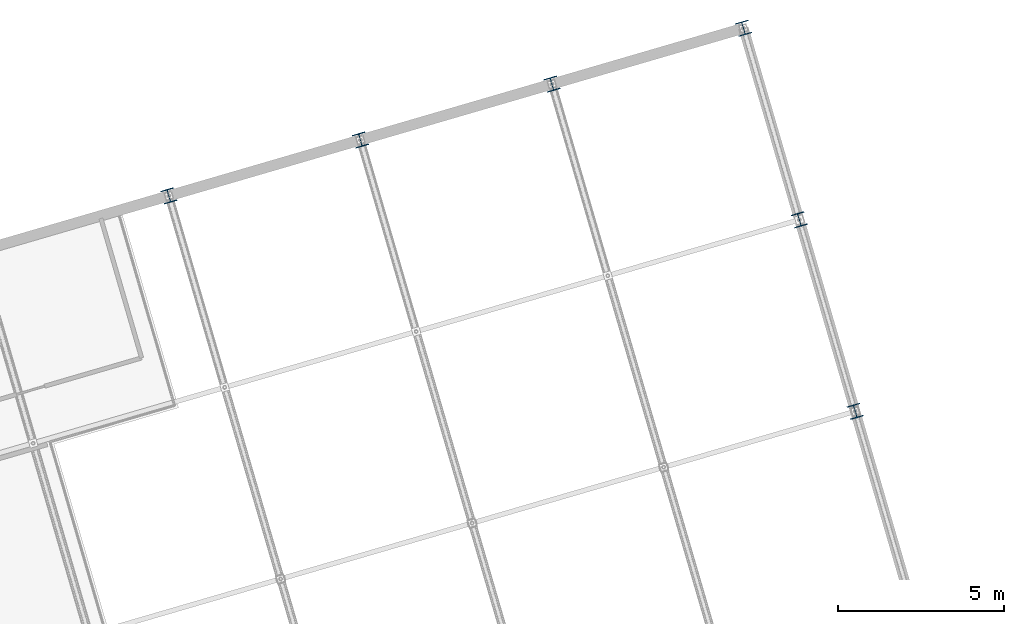
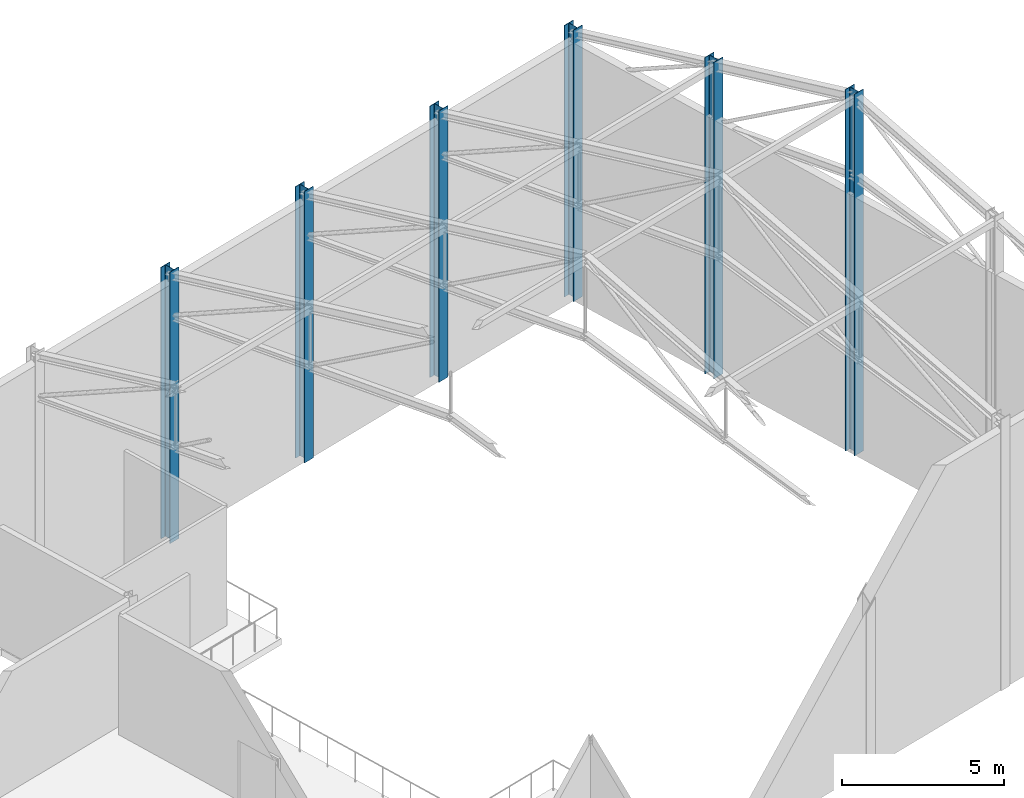
# One storey, part 15 of 248: 6 columns.
"""IFC4 building model written with IfcOpenShell, lengths in metres."""

from ifc_helpers import new_model, si_unit, direction, frame, origin, origin_2d, place, context, subcontext, project, spatial, i_section, extrude, material, material_profile, profile_set, type_object, element, save


model = new_model("IFC4")

# Units and contexts
model_context = context("Model", 3, precision=1e-05, world=origin(), true_north=direction((0.0, 1.0)))
body_context = subcontext(model_context, "Body", "Model", "MODEL_VIEW")
ifc_project = project(units=[si_unit("LENGTHUNIT", "METRE"), si_unit("AREAUNIT", "SQUARE_METRE"), si_unit("VOLUMEUNIT", "CUBIC_METRE"), si_unit("PLANEANGLEUNIT", "RADIAN"), si_unit("MASSUNIT", "GRAM", prefix="KILO")], contexts=[model_context])

# Site, building, storey
site_placement = place(None, origin())
site = spatial("IfcSite", under=ifc_project, at=site_placement, CompositionType="ELEMENT")
building_placement = place(site_placement, origin())
building = spatial("IfcBuilding", under=site, at=building_placement, Name="Canggui Botanical Conservatory", CompositionType="ELEMENT")
storey_placement = place(building_placement, frame((0.0, 0.0, 5.39990234375)))
storey = spatial("IfcBuildingStorey", under=building, at=storey_placement, Name="L02", CompositionType="ELEMENT", Elevation=5.39990234375)

# Columns
ifc_material = material(Name="Steel Q355B", Category="steel")
ifc_material_profile = material_profile(ifc_material, i_section(OverallWidth=0.39990234375, OverallDepth=0.39990234375, WebThickness=0.012939453125, FlangeThickness=0.02099609375, FilletRadius=0.02197265625, at=origin_2d()), Name="HW 400x400x13x21")
ifc_profile_set = profile_set([ifc_material_profile], Name="Steel Q355B")
column_type = type_object("IfcColumnType", Name="COL-GZ03", PredefinedType="COLUMN", material=ifc_profile_set)
for number, where, z_axis, x_axis, name in (
    (1, (76.56005859375, 118.080078125, 0.0), (0.0, 0.0, 1.0), (0.960000000041, 0.279999999861, 0.0), "Auditorium Upper Column L02-08"),
    (2, (82.320068359375, 119.760009765625, 0.0), (0.0, 0.0, 1.0), (0.960000000041, 0.279999999861, 0.0), "Auditorium Upper Column L02-10"),
    (3, (88.080078125, 121.43994140625, 0.0), (0.0, 0.0, 1.0), (0.960000000041, 0.279999999861, 0.0), "Auditorium Upper Column L02-12"),
    (4, (93.840087890625, 123.1201171875, 0.0), (0.0, 0.0, 1.0), (0.960000000041, 0.279999999861, 0.0), "Auditorium Upper Column L02-14"),
):
    element("IfcColumn", number, at=place(storey_placement, frame(where, z_axis=z_axis, x_axis=x_axis)), inside=storey, type_object=column_type, Name=name, PredefinedType="COLUMN", context=body_context, shape_type="SweptSolid", body=[
        extrude(i_section(OverallWidth=0.39990234375, OverallDepth=0.39990234375, WebThickness=0.012939453125, FlangeThickness=0.02099609375, FilletRadius=0.02197265625, at=origin_2d()), origin(), (0.0, 0.0, 1.0), 10.22021484375),
    ])
column_1_placement = place(storey_placement, frame((97.199951171875, 111.60009765625, 0.0), z_axis=(0.0, 0.0, 1.0), x_axis=(0.960000000041, 0.279999999861, 0.0)))
element("IfcColumn", 5, at=column_1_placement, inside=storey, type_object=column_type, Name="Auditorium Upper Column L02-21", PredefinedType="COLUMN", context=body_context, shape_type="SweptSolid", body=[
    extrude(i_section(OverallWidth=0.39990234375, OverallDepth=0.39990234375, WebThickness=0.012939453125, FlangeThickness=0.02099609375, FilletRadius=0.02197265625, at=origin_2d()), origin(), (0.0, 0.0, 1.0), 13.6201171875),
])
column_2_placement = place(storey_placement, frame((95.52001953125, 117.360107421875, 0.0), z_axis=(0.0, 0.0, 1.0), x_axis=(0.960000000041, 0.279999999861, 0.0)))
element("IfcColumn", 6, at=column_2_placement, inside=storey, type_object=column_type, Name="Auditorium Upper Column L02-22", PredefinedType="COLUMN", context=body_context, shape_type="SweptSolid", body=[
    extrude(i_section(OverallWidth=0.39990234375, OverallDepth=0.39990234375, WebThickness=0.012939453125, FlangeThickness=0.02099609375, FilletRadius=0.02197265625, at=origin_2d()), origin(), (0.0, 0.0, 1.0), 11.920166015625),
])

save(model, "model.ifc")
